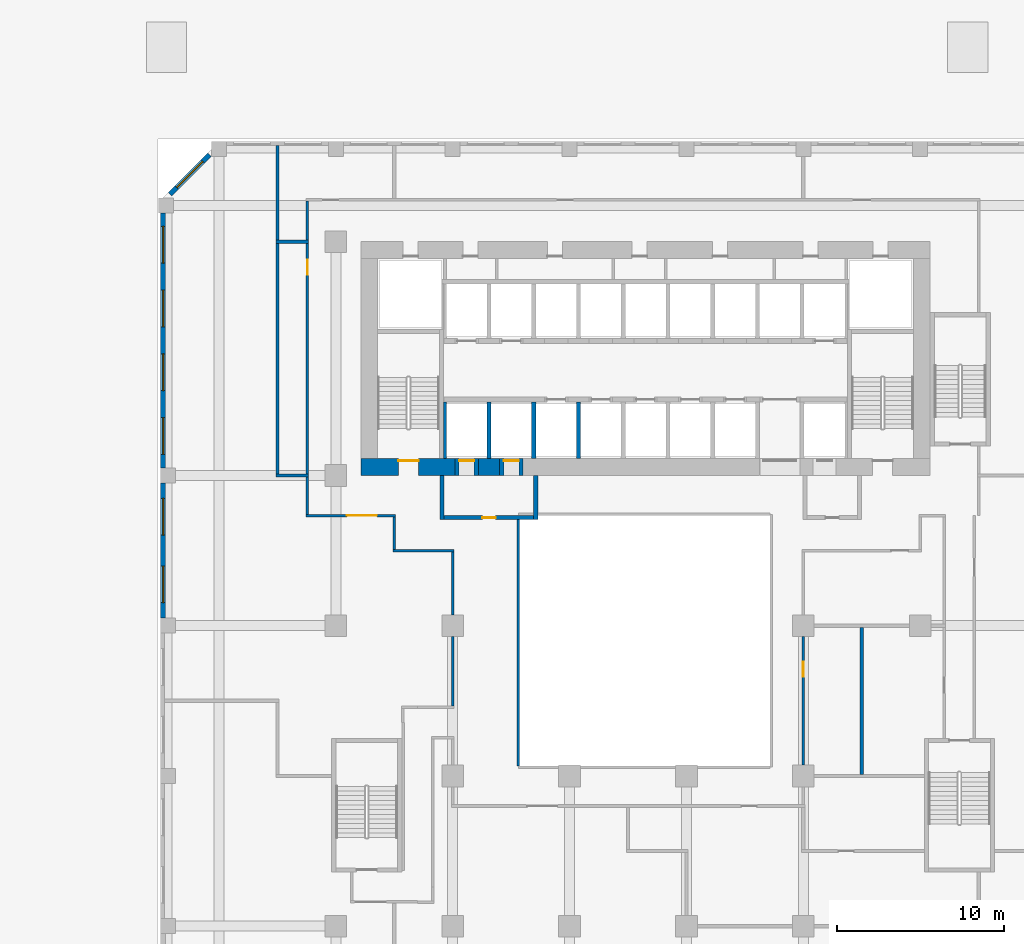
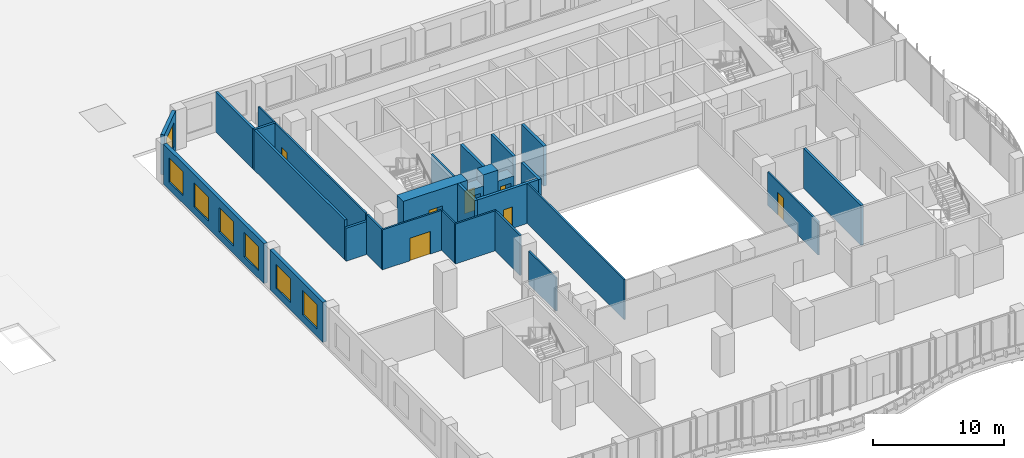
# One storey, part 16 of 29: 29 walls, 7 doors, 7 windows, 14 openings.
"""IFC4 building model written with IfcOpenShell, lengths in metres."""

from ifc_helpers import new_model, si_unit, direction, frame, frame_2d, origin, place, context, subcontext, project, spatial, rectangle, extrude, source, transform, mapped, material, layer, layer_set, type_object, element, fill, save


model = new_model("IFC4")

# Units and contexts
model_context = context("Model", 3, precision=1e-05, world=origin(), true_north=direction((0.0, 1.0)))
body_context = subcontext(model_context, "Body", "Model", "MODEL_VIEW")
ifc_project = project(units=[si_unit("LENGTHUNIT", "METRE"), si_unit("AREAUNIT", "SQUARE_METRE"), si_unit("VOLUMEUNIT", "CUBIC_METRE"), si_unit("PLANEANGLEUNIT", "RADIAN"), si_unit("MASSUNIT", "GRAM", prefix="KILO")], contexts=[model_context])

# Site, building, storey
site_placement = place(None, origin())
site = spatial("IfcSite", under=ifc_project, at=site_placement, CompositionType="ELEMENT")
building_placement = place(site_placement, origin())
building = spatial("IfcBuilding", under=site, at=building_placement, Name="Kilnfold Tower and Market Hall", CompositionType="ELEMENT")
storey_placement = place(building_placement, frame((0.0, 0.0, 27.0)))
storey = spatial("IfcBuildingStorey", under=building, at=storey_placement, Name="L05", CompositionType="ELEMENT", Elevation=27.0)

# Walls
ifc_material_1 = material(Name="Fire-resisting glazed screen")
ifc_layer_1 = layer(ifc_material_1, 0.14990234375)
ifc_layer_set_1 = layer_set([ifc_layer_1], Name="Fire-resisting glazed screen")
wall_type_1 = type_object("IfcWallType", Name="WALL ATRIUM 150", PredefinedType="PARTITIONING", material=ifc_layer_set_1)
wall_1_placement = place(storey_placement, frame((-6.574951171875, -9.39990234375, 0.0), z_axis=(0.0, 0.0, 1.0), x_axis=(0.0, 1.0, 0.0)))
element("IfcWall", 1, at=wall_1_placement, inside=storey, type_object=wall_type_1, Name="Partition LY06.61", PredefinedType="PARTITIONING", context=body_context, shape_type="SweptSolid", body=[
    extrude(rectangle(XDim=15.0, YDim=0.14990234375, at=frame_2d((7.5, 0.0))), origin(), (0.0, 0.0, 1.0), 3.719970703125),
])
ifc_material_2 = material(Name="Gypsum board on steel studs", Category="steel")
ifc_layer_2 = layer(ifc_material_2, 0.14990234375)
ifc_layer_set_2 = layer_set([ifc_layer_2], Name="Gypsum board on steel studs")
wall_type_2 = type_object("IfcWallType", Name="WALL CORRIDOR 150", PredefinedType="PARTITIONING", material=ifc_layer_set_2)
wall_2_placement = place(storey_placement, frame((-10.5, -5.824951171875, 0.0), z_axis=(0.0, 0.0, 1.0), x_axis=(0.0, 1.0, 0.0)))
element("IfcWall", 2, at=wall_2_placement, inside=storey, type_object=wall_type_2, Name="Partition LY06.3", PredefinedType="PARTITIONING", context=body_context, shape_type="SweptSolid", body=[
    extrude(rectangle(XDim=4.175048828125, YDim=0.14990234375, at=frame_2d((2.08740234375, 0.0))), origin(), (0.0, 0.0, 1.0), 3.070068359375),
])
wall_3_placement = place(storey_placement, frame((-10.5, -0.35009765625, 0.0), z_axis=(0.0, 0.0, 1.0), x_axis=(0.0, 1.0, 0.0)))
element("IfcWall", 3, at=wall_3_placement, inside=storey, type_object=wall_type_2, Name="Partition LY06.4", PredefinedType="PARTITIONING", context=body_context, shape_type="SweptSolid", body=[
    extrude(rectangle(XDim=3.775146484375, YDim=0.14990234375, at=frame_2d((1.8876953125, 0.0))), origin(), (0.0, 0.0, 1.0), 3.719970703125),
])
wall_4_placement = place(storey_placement, frame((-14.074951171875, 3.5, 0.0), z_axis=(0.0, 0.0, 1.0), x_axis=(1.0, 0.0, 0.0)))
element("IfcWall", 4, at=wall_4_placement, inside=storey, type_object=wall_type_2, Name="Partition LY06.5", PredefinedType="PARTITIONING", context=body_context, shape_type="SweptSolid", body=[
    extrude(rectangle(XDim=3.64990234375, YDim=0.14990234375, at=frame_2d((1.824951171875, 0.0))), origin(), (0.0, 0.0, 1.0), 3.719970703125),
])
wall_5_placement = place(storey_placement, frame((-14.0, 5.52490234375, 0.0), z_axis=(0.0, 0.0, 1.0), x_axis=(0.0, -1.0, 0.0)))
element("IfcWall", 5, at=wall_5_placement, inside=storey, type_object=wall_type_2, Name="Partition LY06.6", PredefinedType="PARTITIONING", context=body_context, shape_type="SweptSolid", body=[
    extrude(rectangle(XDim=1.949951171875, YDim=0.14990234375, at=frame_2d((0.97509765625, 0.0))), origin(), (0.0, 0.0, 1.0), 3.719970703125),
])

# Wall, opening, door
wall_6_placement = place(storey_placement, frame((-19.27490234375, 5.60009765625, 0.0), z_axis=(0.0, 0.0, 1.0), x_axis=(1.0, 0.0, 0.0)))
wall_6 = element("IfcWall", 6, at=wall_6_placement, inside=storey, type_object=wall_type_2, Name="Partition LY06.7", PredefinedType="PARTITIONING", context=body_context, shape_type="SweptSolid", body=[
    extrude(rectangle(XDim=5.349853515625, YDim=0.14990234375, at=frame_2d((2.6748046875, 0.0))), origin(), (0.0, 0.0, 1.0), 3.719970703125),
])
opening_1_placement = place(wall_6_placement, frame((2.43505859375, 0.0, 0.0)))
opening_1 = element("IfcOpeningElement", 7, at=opening_1_placement, cuts=wall_6, Name="Opening D5", PredefinedType="OPENING", context=body_context, shape_type="SweptSolid", body=[
    extrude(rectangle(XDim=1.800048828125, YDim=2.10009765625, at=frame_2d((0.89990234375, 1.050048828125))), frame((0.0, 0.0849609375, 0.0), z_axis=(0.0, -1.0, 0.0), x_axis=(1.0, 0.0, 0.0)), (0.0, 0.0, 1.0), 0.169921875),
])
ifc_material_3 = material(Name="Timber veneer door leaf in steel frame", Category="steel")
door_type_1 = type_object("IfcDoorType", Name="DOOR DOUBLE 1800 X2100", OperationType="NOTDEFINED", PredefinedType="DOOR", material=ifc_material_3)
door_1_placement = place(opening_1_placement, origin())
door_1 = element("IfcDoor", 8, at=door_1_placement, inside=storey, type_object=door_type_1, Name="Door D5", OperationType="DOUBLE_DOOR_SINGLE_SWING", OverallHeight=2.10009765625, OverallWidth=1.800048828125, PredefinedType="DOOR", context=body_context, shape_type="SweptSolid", body=[
    extrude(rectangle(XDim=1.800048828125, YDim=2.10009765625, at=frame_2d((0.89990234375, 1.050048828125))), frame((0.0, 0.02490234375, 0.0), z_axis=(0.0, -1.0, 0.0), x_axis=(1.0, 0.0, 0.0)), (0.0, 0.0, 1.0), 0.050048828125),
])
fill(opening_1, door_1)

# Wall
wall_7_placement = place(storey_placement, frame((-19.199951171875, 5.675048828125, 0.0), z_axis=(0.0, 0.0, 1.0), x_axis=(0.0, 1.0, 0.0)))
element("IfcWall", 9, at=wall_7_placement, inside=storey, type_object=wall_type_2, Name="Partition LY06.8", PredefinedType="PARTITIONING", context=body_context, shape_type="SweptSolid", body=[
    extrude(rectangle(XDim=2.23486328125, YDim=0.14990234375, at=frame_2d((1.117431640625, 0.0))), origin(), (0.0, 0.0, 1.0), 3.719970703125),
])

# Wall, opening, door
wall_8_placement = place(storey_placement, frame((10.5, -9.35009765625, 0.0), z_axis=(0.0, 0.0, 1.0), x_axis=(0.0, 1.0, 0.0)))
wall_8 = element("IfcWall", 10, at=wall_8_placement, inside=storey, type_object=wall_type_2, Name="Partition LY06.21", PredefinedType="PARTITIONING", context=body_context, shape_type="SweptSolid", body=[
    extrude(rectangle(XDim=7.7001953125, YDim=0.14990234375, at=frame_2d((3.85009765625, 0.0))), origin(), (0.0, 0.0, 1.0), 3.070068359375),
])
opening_2_placement = place(wall_8_placement, frame((5.279052734375, 0.0, 0.0)))
opening_2 = element("IfcOpeningElement", 11, at=opening_2_placement, cuts=wall_8, Name="Opening D3", PredefinedType="OPENING", context=body_context, shape_type="SweptSolid", body=[
    extrude(rectangle(XDim=0.89990234375, YDim=2.10009765625, at=frame_2d((0.449951171875, 1.050048828125))), frame((0.0, 0.0849609375, 0.0), z_axis=(0.0, -1.0, 0.0), x_axis=(1.0, 0.0, 0.0)), (0.0, 0.0, 1.0), 0.169921875),
])
ifc_material_4 = material(Name="Timber veneer door leaf in steel frame", Category="steel")
door_type_2 = type_object("IfcDoorType", Name="DOOR WC 900 X2100", OperationType="NOTDEFINED", PredefinedType="DOOR", material=ifc_material_4)
door_2_placement = place(opening_2_placement, origin())
door_2 = element("IfcDoor", 12, at=door_2_placement, inside=storey, type_object=door_type_2, Name="Door D3", OperationType="SINGLE_SWING_LEFT", OverallHeight=2.10009765625, OverallWidth=0.89990234375, PredefinedType="DOOR", context=body_context, shape_type="SweptSolid", body=[
    extrude(rectangle(XDim=0.89990234375, YDim=2.10009765625, at=frame_2d((0.449951171875, 1.050048828125))), frame((0.0, 0.02490234375, 0.0), z_axis=(0.0, -1.0, 0.0), x_axis=(1.0, 0.0, 0.0)), (0.0, 0.0, 1.0), 0.050048828125),
])
fill(opening_2, door_2)

# Wall
wall_9_placement = place(storey_placement, frame((-19.199951171875, 22.090087890625, 0.0), z_axis=(0.0, 0.0, 1.0), x_axis=(0.0, 1.0, 0.0)))
element("IfcWall", 13, at=wall_9_placement, inside=storey, type_object=wall_type_2, Name="Partition LY06.32", PredefinedType="PARTITIONING", context=body_context, shape_type="SweptSolid", body=[
    extrude(rectangle(XDim=2.3349609375, YDim=0.14990234375, at=frame_2d((1.16748046875, 0.0))), origin(), (0.0, 0.0, 1.0), 3.719970703125),
])

# Wall, opening, door
wall_10_placement = place(storey_placement, frame((-19.199951171875, 8.090087890625, 0.0), z_axis=(0.0, 0.0, 1.0), x_axis=(0.0, 1.0, 0.0)))
wall_10 = element("IfcWall", 14, at=wall_10_placement, inside=storey, type_object=wall_type_2, Name="Partition LY06.34", PredefinedType="PARTITIONING", context=body_context, shape_type="SweptSolid", body=[
    extrude(rectangle(XDim=13.81982421875, YDim=0.14990234375, at=frame_2d((6.909912109375, 0.0))), origin(), (0.0, 0.0, 1.0), 3.719970703125),
])
opening_3_placement = place(wall_10_placement, frame((11.9189453125, 0.0, 0.0)))
opening_3 = element("IfcOpeningElement", 15, at=opening_3_placement, cuts=wall_10, Name="Opening D2", PredefinedType="OPENING", context=body_context, shape_type="SweptSolid", body=[
    extrude(rectangle(XDim=0.89990234375, YDim=2.10009765625, at=frame_2d((0.449951171875, 1.050048828125))), frame((0.0, 0.0849609375, 0.0), z_axis=(0.0, -1.0, 0.0), x_axis=(1.0, 0.0, 0.0)), (0.0, 0.0, 1.0), 0.169921875),
])
ifc_material_5 = material(Name="Timber veneer door leaf in steel frame", Category="steel")
door_type_3 = type_object("IfcDoorType", Name="DOOR ROOM 900 X2100", OperationType="NOTDEFINED", PredefinedType="DOOR", material=ifc_material_5)
door_3_placement = place(opening_3_placement, origin())
door_3 = element("IfcDoor", 16, at=door_3_placement, inside=storey, type_object=door_type_3, Name="Door D2", OperationType="SINGLE_SWING_LEFT", OverallHeight=2.10009765625, OverallWidth=0.89990234375, PredefinedType="DOOR", context=body_context, shape_type="SweptSolid", body=[
    extrude(rectangle(XDim=0.89990234375, YDim=2.10009765625, at=frame_2d((0.449951171875, 1.050048828125))), frame((0.0, 0.02490234375, 0.0), z_axis=(0.0, -1.0, 0.0), x_axis=(1.0, 0.0, 0.0)), (0.0, 0.0, 1.0), 0.050048828125),
])
fill(opening_3, door_3)

# Walls
ifc_material_6 = material(Name="Gypsum board on steel studs", Category="steel")
ifc_layer_3 = layer(ifc_material_6, 0.199951171875)
ifc_layer_set_3 = layer_set([ifc_layer_3], Name="Gypsum board on steel studs")
wall_type_3 = type_object("IfcWallType", Name="WALL PARTY 200", PredefinedType="PARTITIONING", material=ifc_layer_set_3)
wall_11_placement = place(storey_placement, frame((-21.0, 22.090087890625, 0.0), z_axis=(0.0, 0.0, 1.0), x_axis=(0.0, 1.0, 0.0)))
element("IfcWall", 17, at=wall_11_placement, inside=storey, type_object=wall_type_3, Name="Partition LY06.38", PredefinedType="PARTITIONING", context=body_context, shape_type="SweptSolid", body=[
    extrude(rectangle(XDim=5.659912109375, YDim=0.199951171875, at=frame_2d((2.830078125, 0.0))), origin(), (0.0, 0.0, 1.0), 3.719970703125),
])
wall_12_placement = place(storey_placement, frame((-21.0, 8.10009765625, 0.0), z_axis=(0.0, 0.0, 1.0), x_axis=(0.0, 1.0, 0.0)))
element("IfcWall", 18, at=wall_12_placement, inside=storey, type_object=wall_type_3, Name="Partition LY06.39", PredefinedType="PARTITIONING", context=body_context, shape_type="SweptSolid", body=[
    extrude(rectangle(XDim=13.809814453125, YDim=0.199951171875, at=frame_2d((6.90478515625, 0.0))), origin(), (0.0, 0.0, 1.0), 3.719970703125),
])
wall_13_placement = place(storey_placement, frame((-21.10009765625, 8.0, 0.0), z_axis=(0.0, 0.0, 1.0), x_axis=(1.0, 0.0, 0.0)))
element("IfcWall", 19, at=wall_13_placement, inside=storey, type_object=wall_type_3, Name="Partition LY06.40", PredefinedType="PARTITIONING", context=body_context, shape_type="SweptSolid", body=[
    extrude(rectangle(XDim=1.97412109375, YDim=0.199951171875, at=frame_2d((0.987060546875, 0.0))), origin(), (0.0, 0.0, 1.0), 3.070068359375),
])
wall_14_placement = place(storey_placement, frame((14.0, -9.89990234375, 0.0), z_axis=(0.0, 0.0, 1.0), x_axis=(0.0, 1.0, 0.0)))
element("IfcWall", 20, at=wall_14_placement, inside=storey, type_object=wall_type_3, Name="Partition LY06.53", PredefinedType="PARTITIONING", context=body_context, shape_type="SweptSolid", body=[
    extrude(rectangle(XDim=8.7998046875, YDim=0.199951171875, at=frame_2d((4.39990234375, 0.0))), origin(), (0.0, 0.0, 1.0), 3.719970703125),
])
wall_15_placement = place(storey_placement, frame((-21.10009765625, 22.0, 0.0), z_axis=(0.0, 0.0, 1.0), x_axis=(1.0, 0.0, 0.0)))
element("IfcWall", 21, at=wall_15_placement, inside=storey, type_object=wall_type_3, Name="Partition LY06.59", PredefinedType="PARTITIONING", context=body_context, shape_type="SweptSolid", body=[
    extrude(rectangle(XDim=1.97412109375, YDim=0.199951171875, at=frame_2d((0.987060546875, 0.0))), origin(), (0.0, 0.0, 1.0), 3.719970703125),
])

# Wall, opening, door
ifc_material_7 = material(Name="Concrete C80", Category="concrete")
ifc_layer_4 = layer(ifc_material_7, 1.0)
ifc_layer_set_4 = layer_set([ifc_layer_4], Name="Concrete C80")
wall_type_4 = type_object("IfcWallType", Name="CORE WALL 1000 C80", PredefinedType="SHEAR", material=ifc_layer_set_4)
shared_shape_1 = source(origin(), body_context, "Body", "SweptSolid", [
    extrude(rectangle(XDim=5.6298828125, YDim=1.0, at=frame_2d((2.81494140625, 0.0))), origin(), (0.0, 0.0, 1.0), 3.719970703125),
])
wall_16_placement = place(storey_placement, frame((-16.0, 8.5, 0.0), z_axis=(0.0, 0.0, 1.0), x_axis=(1.0, 0.0, 0.0)))
wall_16 = element("IfcWall", 22, at=wall_16_placement, inside=storey, type_object=wall_type_4, Name="Core outer wall south", PredefinedType="SHEAR", context=body_context, shape_type="MappedRepresentation", body=[
    mapped(shared_shape_1, transform((0.0, 0.0, 0.0))),
])
opening_4_placement = place(wall_16_placement, frame((2.25, 0.0, 0.0)))
opening_4 = element("IfcOpeningElement", 23, at=opening_4_placement, cuts=wall_16, Name="Opening SD1", PredefinedType="OPENING", context=body_context, shape_type="SweptSolid", body=[
    extrude(rectangle(XDim=1.199951171875, YDim=2.10009765625, at=frame_2d((0.60009765625, 1.050048828125))), frame((0.0, 0.510009765625, 0.0), z_axis=(0.0, -1.0, 0.0), x_axis=(1.0, 0.0, 0.0)), (0.0, 0.0, 1.0), 1.02001953125),
])
ifc_material_8 = material(Name="Steel door set with fire-resisting leaf", Category="steel")
door_type_4 = type_object("IfcDoorType", Name="STAIR FLOOR DOOR 1200X2100", OperationType="NOTDEFINED", PredefinedType="DOOR", material=ifc_material_8)
door_4_placement = place(opening_4_placement, origin())
door_4 = element("IfcDoor", 24, at=door_4_placement, inside=storey, type_object=door_type_4, Name="Exit stair ST1 door", OperationType="DOUBLE_DOOR_SINGLE_SWING", OverallHeight=2.10009765625, OverallWidth=1.199951171875, PredefinedType="DOOR", context=body_context, shape_type="SweptSolid", body=[
    extrude(rectangle(XDim=1.199951171875, YDim=2.10009765625, at=frame_2d((0.60009765625, 1.050048828125))), frame((0.0, 0.40478515625, 0.0), z_axis=(0.0, -1.0, 0.0), x_axis=(1.0, 0.0, 0.0)), (0.0, 0.0, 1.0), 0.050048828125),
])
fill(opening_4, door_4)

# Wall
shared_shape_2 = source(origin(), body_context, "Body", "SweptSolid", [
    extrude(rectangle(XDim=1.280029296875, YDim=1.0, at=frame_2d((0.64013671875, 0.0))), origin(), (0.0, 0.0, 1.0), 3.719970703125),
])
wall_17_placement = place(storey_placement, frame((-8.969970703125, 8.5, 0.0), z_axis=(0.0, 0.0, 1.0), x_axis=(1.0, 0.0, 0.0)))
element("IfcWall", 25, at=wall_17_placement, inside=storey, type_object=wall_type_4, Name="Core outer wall south", PredefinedType="SHEAR", context=body_context, shape_type="MappedRepresentation", body=[
    mapped(shared_shape_2, transform((0.0, 0.0, 0.0))),
])

# Wall, opening, window
ifc_material_9 = material(Name="Precast concrete C50/60", Category="concrete")
ifc_layer_5 = layer(ifc_material_9, 0.300048828125)
ifc_layer_set_5 = layer_set([ifc_layer_5], Name="Precast concrete C50/60")
wall_type_5 = type_object("IfcWallType", Name="PRECAST WALL 300", PredefinedType="SOLIDWALL", material=ifc_layer_set_5)
shared_shape_3 = source(origin(), body_context, "Body", "SweptSolid", [
    extrude(rectangle(XDim=3.35888671875, YDim=0.300048828125, at=frame_2d((1.679443359375, 0.0))), origin(), (0.0, 0.0, 1.0), 3.719970703125),
])
wall_18_placement = place(storey_placement, frame((-25.06884765625, 27.218994140625, 0.0), z_axis=(0.0, 0.0, 1.0), x_axis=(-0.707143122278, -0.707070438228, 0.0)))
wall_18 = element("IfcWall", 26, at=wall_18_placement, inside=storey, type_object=wall_type_5, Name="External wall L05 NW", PredefinedType="SOLIDWALL", context=body_context, shape_type="MappedRepresentation", body=[
    mapped(shared_shape_3, transform((0.0, 0.0, 0.0))),
])
opening_5_placement = place(wall_18_placement, frame((0.579345703125, 0.0, 0.699951171875)))
opening_5 = element("IfcOpeningElement", 27, at=opening_5_placement, cuts=wall_18, Name="Opening W1", PredefinedType="OPENING", context=body_context, shape_type="SweptSolid", body=[
    extrude(rectangle(XDim=2.199951171875, YDim=2.25, at=frame_2d((1.10009765625, 1.125))), frame((0.0, 0.16015625, 0.0), z_axis=(0.0, -1.0, 0.0), x_axis=(1.0, 0.0, 0.0)), (0.0, 0.0, 1.0), 0.320068359375),
])
ifc_material_10 = material(Name="Aluminium frame and double glazing", Category="aluminium")
window_type = type_object("IfcWindowType", Name="WINDOW W1 2200X2250", PartitioningType="SINGLE_PANEL", PredefinedType="WINDOW", material=ifc_material_10)
window_1_placement = place(opening_5_placement, origin())
window_1 = element("IfcWindow", 28, at=window_1_placement, inside=storey, type_object=window_type, Name="Window W1 L05 NW-1", OverallHeight=2.25, OverallWidth=2.199951171875, PartitioningType="SINGLE_PANEL", PredefinedType="WINDOW", context=body_context, shape_type="SweptSolid", body=[
    extrude(rectangle(XDim=2.199951171875, YDim=2.25, at=frame_2d((1.10009765625, 1.125))), frame((0.0, 0.030029296875, 0.0), z_axis=(0.0, -1.0, 0.0), x_axis=(1.0, 0.0, 0.0)), (0.0, 0.0, 1.0), 0.06005859375),
])
fill(opening_5, window_1)

# Wall, openings, windows
shared_shape_4 = source(origin(), body_context, "Body", "SweptSolid", [
    extrude(rectangle(XDim=15.28173828125, YDim=0.300048828125, at=frame_2d((7.640869140625, 0.0))), origin(), (0.0, 0.0, 1.0), 3.719970703125),
])
wall_19_placement = place(storey_placement, frame((-27.85009765625, 23.731689453125, 0.0), z_axis=(0.0, 0.0, 1.0), x_axis=(0.0, -1.0, 0.0)))
wall_19 = element("IfcWall", 29, at=wall_19_placement, inside=storey, type_object=wall_type_5, Name="External wall L05 W", PredefinedType="SOLIDWALL", context=body_context, shape_type="MappedRepresentation", body=[
    mapped(shared_shape_4, transform((0.0, 0.0, 0.0))),
])
opening_6_placement = place(wall_19_placement, frame((0.810302734375, 0.0, 0.699951171875)))
opening_6 = element("IfcOpeningElement", 30, at=opening_6_placement, cuts=wall_19, Name="Opening W1", PredefinedType="OPENING", context=body_context, shape_type="SweptSolid", body=[
    extrude(rectangle(XDim=2.199951171875, YDim=2.25, at=frame_2d((1.10009765625, 1.125))), frame((0.0, 0.16015625, 0.0), z_axis=(0.0, -1.0, 0.0), x_axis=(1.0, 0.0, 0.0)), (0.0, 0.0, 1.0), 0.320068359375),
])
opening_7_placement = place(wall_19_placement, frame((4.630615234375, 0.0, 0.699951171875)))
opening_7 = element("IfcOpeningElement", 31, at=opening_7_placement, cuts=wall_19, Name="Opening W1", PredefinedType="OPENING", context=body_context, shape_type="SweptSolid", body=[
    extrude(rectangle(XDim=2.199951171875, YDim=2.25, at=frame_2d((1.10009765625, 1.125))), frame((0.0, 0.16015625, 0.0), z_axis=(0.0, -1.0, 0.0), x_axis=(1.0, 0.0, 0.0)), (0.0, 0.0, 1.0), 0.320068359375),
])
opening_8_placement = place(wall_19_placement, frame((8.451171875, 0.0, 0.699951171875)))
opening_8 = element("IfcOpeningElement", 32, at=opening_8_placement, cuts=wall_19, Name="Opening W1", PredefinedType="OPENING", context=body_context, shape_type="SweptSolid", body=[
    extrude(rectangle(XDim=2.199951171875, YDim=2.25, at=frame_2d((1.10009765625, 1.125))), frame((0.0, 0.16015625, 0.0), z_axis=(0.0, -1.0, 0.0), x_axis=(1.0, 0.0, 0.0)), (0.0, 0.0, 1.0), 0.320068359375),
])
opening_9_placement = place(wall_19_placement, frame((12.271484375, 0.0, 0.699951171875)))
opening_9 = element("IfcOpeningElement", 33, at=opening_9_placement, cuts=wall_19, Name="Opening W1", PredefinedType="OPENING", context=body_context, shape_type="SweptSolid", body=[
    extrude(rectangle(XDim=2.199951171875, YDim=2.25, at=frame_2d((1.10009765625, 1.125))), frame((0.0, 0.16015625, 0.0), z_axis=(0.0, -1.0, 0.0), x_axis=(1.0, 0.0, 0.0)), (0.0, 0.0, 1.0), 0.320068359375),
])
window_2_placement = place(opening_6_placement, origin())
window_2 = element("IfcWindow", 34, at=window_2_placement, inside=storey, type_object=window_type, Name="Window W1 L05 W-1", OverallHeight=2.25, OverallWidth=2.199951171875, PartitioningType="SINGLE_PANEL", PredefinedType="WINDOW", context=body_context, shape_type="SweptSolid", body=[
    extrude(rectangle(XDim=2.199951171875, YDim=2.25, at=frame_2d((1.10009765625, 1.125))), frame((0.0, 0.030029296875, 0.0), z_axis=(0.0, -1.0, 0.0), x_axis=(1.0, 0.0, 0.0)), (0.0, 0.0, 1.0), 0.06005859375),
])
fill(opening_6, window_2)
window_3_placement = place(opening_7_placement, origin())
window_3 = element("IfcWindow", 35, at=window_3_placement, inside=storey, type_object=window_type, Name="Window W1 L05 W-2", OverallHeight=2.25, OverallWidth=2.199951171875, PartitioningType="SINGLE_PANEL", PredefinedType="WINDOW", context=body_context, shape_type="SweptSolid", body=[
    extrude(rectangle(XDim=2.199951171875, YDim=2.25, at=frame_2d((1.10009765625, 1.125))), frame((0.0, 0.030029296875, 0.0), z_axis=(0.0, -1.0, 0.0), x_axis=(1.0, 0.0, 0.0)), (0.0, 0.0, 1.0), 0.06005859375),
])
fill(opening_7, window_3)
window_4_placement = place(opening_8_placement, origin())
window_4 = element("IfcWindow", 36, at=window_4_placement, inside=storey, type_object=window_type, Name="Window W1 L05 W-3", OverallHeight=2.25, OverallWidth=2.199951171875, PartitioningType="SINGLE_PANEL", PredefinedType="WINDOW", context=body_context, shape_type="SweptSolid", body=[
    extrude(rectangle(XDim=2.199951171875, YDim=2.25, at=frame_2d((1.10009765625, 1.125))), frame((0.0, 0.030029296875, 0.0), z_axis=(0.0, -1.0, 0.0), x_axis=(1.0, 0.0, 0.0)), (0.0, 0.0, 1.0), 0.06005859375),
])
fill(opening_8, window_4)
window_5_placement = place(opening_9_placement, origin())
window_5 = element("IfcWindow", 37, at=window_5_placement, inside=storey, type_object=window_type, Name="Window W1 L05 W-4", OverallHeight=2.25, OverallWidth=2.199951171875, PartitioningType="SINGLE_PANEL", PredefinedType="WINDOW", context=body_context, shape_type="SweptSolid", body=[
    extrude(rectangle(XDim=2.199951171875, YDim=2.25, at=frame_2d((1.10009765625, 1.125))), frame((0.0, 0.030029296875, 0.0), z_axis=(0.0, -1.0, 0.0), x_axis=(1.0, 0.0, 0.0)), (0.0, 0.0, 1.0), 0.06005859375),
])
fill(opening_9, window_5)

shared_shape_5 = source(origin(), body_context, "Body", "SweptSolid", [
    extrude(rectangle(XDim=8.10009765625, YDim=0.300048828125, at=frame_2d((4.050048828125, 0.0))), origin(), (0.0, 0.0, 1.0), 3.719970703125),
])
wall_20_placement = place(storey_placement, frame((-27.85009765625, 7.550048828125, 0.0), z_axis=(0.0, 0.0, 1.0), x_axis=(0.0, -1.0, 0.0)))
wall_20 = element("IfcWall", 38, at=wall_20_placement, inside=storey, type_object=wall_type_5, Name="External wall L05 W", PredefinedType="SOLIDWALL", context=body_context, shape_type="MappedRepresentation", body=[
    mapped(shared_shape_5, transform((0.0, 0.0, 0.0))),
])
opening_10_placement = place(wall_20_placement, frame((0.925048828125, 0.0, 0.699951171875)))
opening_10 = element("IfcOpeningElement", 39, at=opening_10_placement, cuts=wall_20, Name="Opening W1", PredefinedType="OPENING", context=body_context, shape_type="SweptSolid", body=[
    extrude(rectangle(XDim=2.199951171875, YDim=2.25, at=frame_2d((1.10009765625, 1.125))), frame((0.0, 0.16015625, 0.0), z_axis=(0.0, -1.0, 0.0), x_axis=(1.0, 0.0, 0.0)), (0.0, 0.0, 1.0), 0.320068359375),
])
opening_11_placement = place(wall_20_placement, frame((4.97509765625, 0.0, 0.699951171875)))
opening_11 = element("IfcOpeningElement", 40, at=opening_11_placement, cuts=wall_20, Name="Opening W1", PredefinedType="OPENING", context=body_context, shape_type="SweptSolid", body=[
    extrude(rectangle(XDim=2.199951171875, YDim=2.25, at=frame_2d((1.10009765625, 1.125))), frame((0.0, 0.16015625, 0.0), z_axis=(0.0, -1.0, 0.0), x_axis=(1.0, 0.0, 0.0)), (0.0, 0.0, 1.0), 0.320068359375),
])
window_6_placement = place(opening_10_placement, origin())
window_6 = element("IfcWindow", 41, at=window_6_placement, inside=storey, type_object=window_type, Name="Window W1 L05 W-1", OverallHeight=2.25, OverallWidth=2.199951171875, PartitioningType="SINGLE_PANEL", PredefinedType="WINDOW", context=body_context, shape_type="SweptSolid", body=[
    extrude(rectangle(XDim=2.199951171875, YDim=2.25, at=frame_2d((1.10009765625, 1.125))), frame((0.0, 0.030029296875, 0.0), z_axis=(0.0, -1.0, 0.0), x_axis=(1.0, 0.0, 0.0)), (0.0, 0.0, 1.0), 0.06005859375),
])
fill(opening_10, window_6)
window_7_placement = place(opening_11_placement, origin())
window_7 = element("IfcWindow", 42, at=window_7_placement, inside=storey, type_object=window_type, Name="Window W1 L05 W-2", OverallHeight=2.25, OverallWidth=2.199951171875, PartitioningType="SINGLE_PANEL", PredefinedType="WINDOW", context=body_context, shape_type="SweptSolid", body=[
    extrude(rectangle(XDim=2.199951171875, YDim=2.25, at=frame_2d((1.10009765625, 1.125))), frame((0.0, 0.030029296875, 0.0), z_axis=(0.0, -1.0, 0.0), x_axis=(1.0, 0.0, 0.0)), (0.0, 0.0, 1.0), 0.06005859375),
])
fill(opening_11, window_7)

# Wall, opening, door
ifc_material_11 = material(Name="Gypsum shaft wall system")
ifc_layer_6 = layer(ifc_material_11, 1.0)
ifc_layer_set_6 = layer_set([ifc_layer_6], Name="Gypsum shaft wall system")
wall_type_6 = type_object("IfcWallType", Name="LOBBY WALL 1000", PredefinedType="PARTITIONING", material=ifc_layer_set_6)
shared_shape_6 = source(origin(), body_context, "Body", "SweptSolid", [
    extrude(rectangle(XDim=1.400146484375, YDim=1.0, at=frame_2d((0.7001953125, 0.0))), origin(), (0.0, 0.0, 1.0), 2.699951171875),
])
wall_21_placement = place(storey_placement, frame((-10.3701171875, 8.5, 0.0), z_axis=(0.0, 0.0, 1.0), x_axis=(1.0, 0.0, 0.0)))
wall_21 = element("IfcWall", 43, at=wall_21_placement, inside=storey, type_object=wall_type_6, Name="Core wall infill", PredefinedType="PARTITIONING", context=body_context, shape_type="MappedRepresentation", body=[
    mapped(shared_shape_6, transform((0.0, 0.0, 0.0))),
])
opening_12_placement = place(wall_21_placement, frame((0.25, 0.0, 0.0)))
opening_12 = element("IfcOpeningElement", 44, at=opening_12_placement, cuts=wall_21, Name="Opening LD1", PredefinedType="OPENING", context=body_context, shape_type="SweptSolid", body=[
    extrude(rectangle(XDim=0.89990234375, YDim=2.10009765625, at=frame_2d((0.449951171875, 1.050048828125))), frame((0.0, 0.510009765625, 0.0), z_axis=(0.0, -1.0, 0.0), x_axis=(1.0, 0.0, 0.0)), (0.0, 0.0, 1.0), 1.02001953125),
])
ifc_material_12 = material(Name="Steel door set with fire-resisting leaf", Category="steel")
door_type_5 = type_object("IfcDoorType", Name="FIREFIGHTING LANDING DOOR 900X2100", OperationType="NOTDEFINED", PredefinedType="DOOR", material=ifc_material_12)
door_5_placement = place(opening_12_placement, origin())
door_5 = element("IfcDoor", 45, at=door_5_placement, inside=storey, type_object=door_type_5, Name="Landing door FF1", OperationType="SLIDING_TO_LEFT", OverallHeight=2.10009765625, OverallWidth=0.89990234375, PredefinedType="DOOR", context=body_context, shape_type="SweptSolid", body=[
    extrude(rectangle(XDim=0.89990234375, YDim=2.10009765625, at=frame_2d((0.449951171875, 1.050048828125))), frame((0.0, 0.40478515625, 0.0), z_axis=(0.0, -1.0, 0.0), x_axis=(1.0, 0.0, 0.0)), (0.0, 0.0, 1.0), 0.050048828125),
])
fill(opening_12, door_5)

shared_shape_7 = source(origin(), body_context, "Body", "SweptSolid", [
    extrude(rectangle(XDim=1.39990234375, YDim=1.0, at=frame_2d((0.699951171875, 0.0))), origin(), (0.0, 0.0, 1.0), 2.699951171875),
])
wall_22_placement = place(storey_placement, frame((-7.68994140625, 8.5, 0.0), z_axis=(0.0, 0.0, 1.0), x_axis=(1.0, 0.0, 0.0)))
wall_22 = element("IfcWall", 46, at=wall_22_placement, inside=storey, type_object=wall_type_6, Name="Core wall infill", PredefinedType="PARTITIONING", context=body_context, shape_type="MappedRepresentation", body=[
    mapped(shared_shape_7, transform((0.0, 0.0, 0.0))),
])
opening_13_placement = place(wall_22_placement, frame((0.25, 0.0, 0.0)))
opening_13 = element("IfcOpeningElement", 47, at=opening_13_placement, cuts=wall_22, Name="Opening LD1", PredefinedType="OPENING", context=body_context, shape_type="SweptSolid", body=[
    extrude(rectangle(XDim=0.89990234375, YDim=2.10009765625, at=frame_2d((0.449951171875, 1.050048828125))), frame((0.0, 0.510009765625, 0.0), z_axis=(0.0, -1.0, 0.0), x_axis=(1.0, 0.0, 0.0)), (0.0, 0.0, 1.0), 1.02001953125),
])
door_6_placement = place(opening_13_placement, origin())
door_6 = element("IfcDoor", 48, at=door_6_placement, inside=storey, type_object=door_type_5, Name="Landing door FF2", OperationType="SLIDING_TO_RIGHT", OverallHeight=2.10009765625, OverallWidth=0.89990234375, PredefinedType="DOOR", context=body_context, shape_type="SweptSolid", body=[
    extrude(rectangle(XDim=0.89990234375, YDim=2.10009765625, at=frame_2d((0.449951171875, 1.050048828125))), frame((0.0, 0.40478515625, 0.0), z_axis=(0.0, -1.0, 0.0), x_axis=(1.0, 0.0, 0.0)), (0.0, 0.0, 1.0), 0.050048828125),
])
fill(opening_13, door_6)

# Walls
ifc_material_13 = material(Name="Gypsum shaft wall system")
ifc_layer_7 = layer(ifc_material_13, 0.25)
ifc_layer_set_7 = layer_set([ifc_layer_7], Name="Gypsum shaft wall system")
wall_type_7 = type_object("IfcWallType", Name="LOBBY WALL 250", PredefinedType="PARTITIONING", material=ifc_layer_set_7)
shared_shape_8 = source(origin(), body_context, "Body", "SweptSolid", [
    extrude(rectangle(XDim=2.64990234375, YDim=0.25, at=frame_2d((1.324951171875, 0.0))), origin(), (0.0, 0.0, 1.0), 3.719970703125),
])
for number, where, z_axis, x_axis, name in (
    (49, (-11.135009765625, 5.35009765625, 0.0), (0.0, 0.0, 1.0), (0.0, 1.0, 0.0), "Firefighting lobby wall"),
    (50, (-5.52490234375, 5.35009765625, 0.0), (0.0, 0.0, 1.0), (0.0, 1.0, 0.0), "Firefighting lobby wall"),
):
    element("IfcWall", number, at=place(storey_placement, frame(where, z_axis=z_axis, x_axis=x_axis)), inside=storey, type_object=wall_type_7, Name=name, PredefinedType="PARTITIONING", context=body_context, shape_type="MappedRepresentation", body=[
        mapped(shared_shape_8, transform((0.0, 0.0, 0.0))),
    ])

# Wall, opening, door
shared_shape_9 = source(origin(), body_context, "Body", "SweptSolid", [
    extrude(rectangle(XDim=5.360107421875, YDim=0.25, at=frame_2d((2.68017578125, 0.0))), origin(), (0.0, 0.0, 1.0), 3.719970703125),
])
wall_23_placement = place(storey_placement, frame((-11.010009765625, 5.47509765625, 0.0), z_axis=(0.0, 0.0, 1.0), x_axis=(1.0, 0.0, 0.0)))
wall_23 = element("IfcWall", 51, at=wall_23_placement, inside=storey, type_object=wall_type_7, Name="Firefighting lobby wall", PredefinedType="PARTITIONING", context=body_context, shape_type="MappedRepresentation", body=[
    mapped(shared_shape_9, transform((0.0, 0.0, 0.0))),
])
opening_14_placement = place(wall_23_placement, frame((2.280029296875, 0.0, 0.0)))
opening_14 = element("IfcOpeningElement", 52, at=opening_14_placement, cuts=wall_23, Name="Opening VD1", PredefinedType="OPENING", context=body_context, shape_type="SweptSolid", body=[
    extrude(rectangle(XDim=0.800048828125, YDim=2.0, at=frame_2d((0.39990234375, 1.0))), frame((0.0, 0.135009765625, 0.0), z_axis=(0.0, -1.0, 0.0), x_axis=(1.0, 0.0, 0.0)), (0.0, 0.0, 1.0), 0.27001953125),
])
ifc_material_14 = material(Name="Steel door set with fire-resisting leaf", Category="steel")
door_type_6 = type_object("IfcDoorType", Name="FIREFIGHTING LOBBY DOOR 800X2000", OperationType="NOTDEFINED", PredefinedType="DOOR", material=ifc_material_14)
door_7_placement = place(opening_14_placement, origin())
door_7 = element("IfcDoor", 53, at=door_7_placement, inside=storey, type_object=door_type_6, Name="Firefighting lobby door", OperationType="SINGLE_SWING_LEFT", OverallHeight=2.0, OverallWidth=0.800048828125, PredefinedType="DOOR", context=body_context, shape_type="SweptSolid", body=[
    extrude(rectangle(XDim=0.800048828125, YDim=2.0, at=frame_2d((0.39990234375, 1.0))), frame((0.0, 0.02490234375, 0.0), z_axis=(0.0, -1.0, 0.0), x_axis=(1.0, 0.0, 0.0)), (0.0, 0.0, 1.0), 0.050048828125),
])
fill(opening_14, door_7)

# Walls
ifc_material_15 = material(Name="Gypsum shaft wall system")
ifc_layer_8 = layer(ifc_material_15, 0.25)
ifc_layer_set_8 = layer_set([ifc_layer_8], Name="Gypsum shaft wall system")
wall_type_8 = type_object("IfcWallType", Name="SHAFT WALL 250", PredefinedType="PARTITIONING", material=ifc_layer_set_8)
shared_shape_10 = source(origin(), body_context, "Body", "SweptSolid", [
    extrude(rectangle(XDim=3.39990234375, YDim=0.25, at=frame_2d((1.699951171875, 0.0))), origin(), (0.0, 0.0, 1.0), 3.719970703125),
])
for number, where, z_axis, x_axis, name in (
    (54, (-2.969970703125, 9.0, 0.0), (0.0, 0.0, 1.0), (0.0, 1.0, 0.0), "Lift shaft wall"),
    (55, (-5.64990234375, 9.0, 0.0), (0.0, 0.0, 1.0), (0.0, 1.0, 0.0), "Lift shaft wall"),
    (56, (-8.330078125, 9.0, 0.0), (0.0, 0.0, 1.0), (0.0, 1.0, 0.0), "Lift shaft wall"),
):
    element("IfcWall", number, at=place(storey_placement, frame(where, z_axis=z_axis, x_axis=x_axis)), inside=storey, type_object=wall_type_8, Name=name, PredefinedType="PARTITIONING", context=body_context, shape_type="MappedRepresentation", body=[
        mapped(shared_shape_10, transform((0.0, 0.0, 0.0))),
    ])
ifc_material_16 = material(Name="Gypsum shaft wall system")
ifc_layer_9 = layer(ifc_material_16, 0.1650390625)
ifc_layer_set_9 = layer_set([ifc_layer_9], Name="Gypsum shaft wall system")
wall_type_9 = type_object("IfcWallType", Name="SHAFT WALL 165", PredefinedType="PARTITIONING", material=ifc_layer_set_9)
shared_shape_11 = source(origin(), body_context, "Body", "SweptSolid", [
    extrude(rectangle(XDim=3.39990234375, YDim=0.1650390625, at=frame_2d((1.699951171875, 0.0))), origin(), (0.0, 0.0, 1.0), 3.719970703125),
])
wall_24_placement = place(storey_placement, frame((-10.967529296875, 9.0, 0.0), z_axis=(0.0, 0.0, 1.0), x_axis=(0.0, 1.0, 0.0)))
element("IfcWall", 57, at=wall_24_placement, inside=storey, type_object=wall_type_9, Name="Lift shaft wall", PredefinedType="PARTITIONING", context=body_context, shape_type="MappedRepresentation", body=[
    mapped(shared_shape_11, transform((0.0, 0.0, 0.0))),
])

save(model, "model.ifc")
